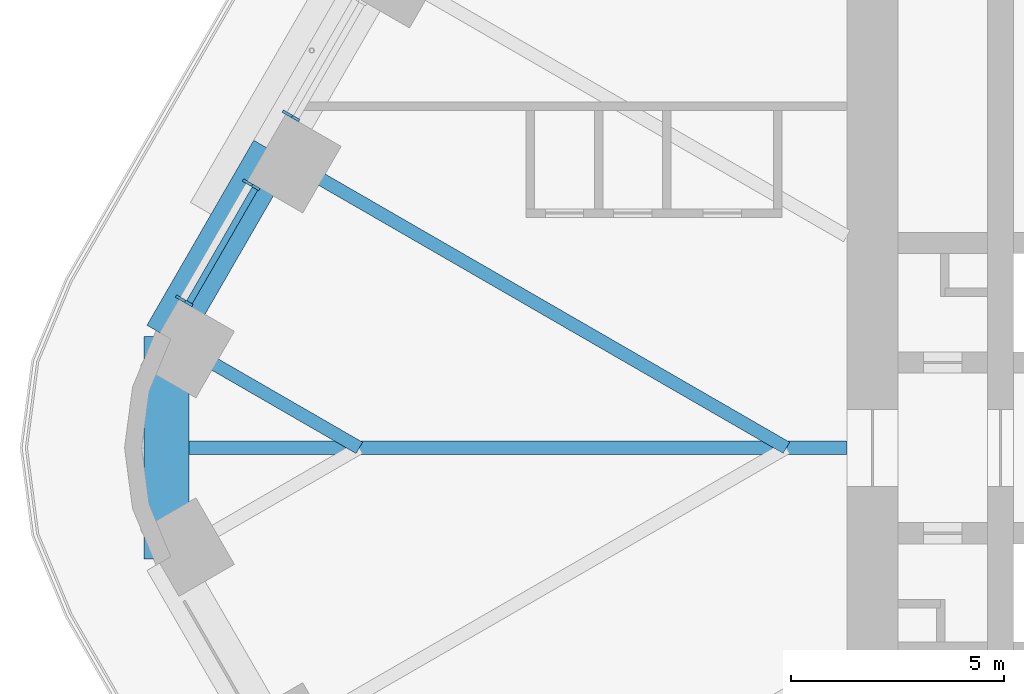
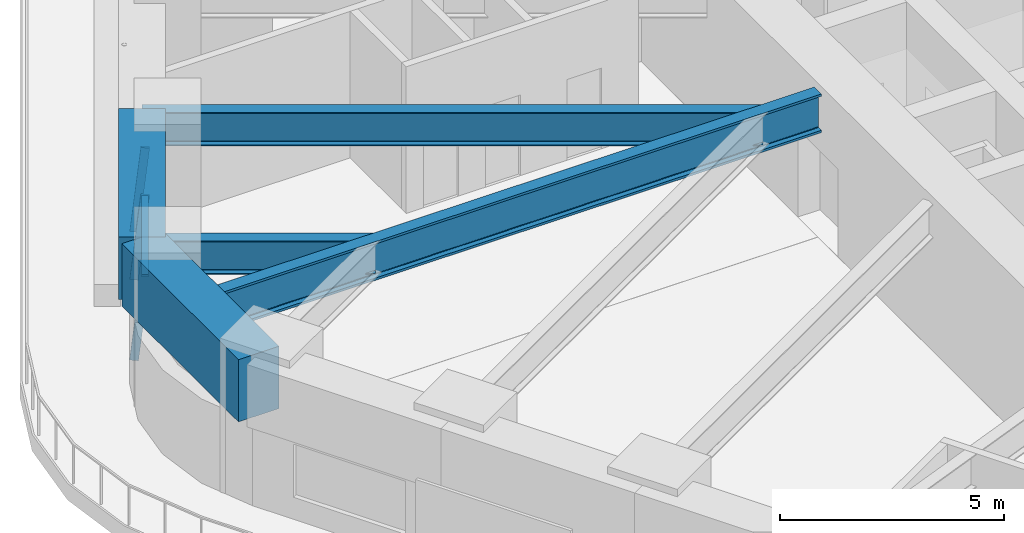
# One storey, part 6 of 24: 5 beams, 4 members, 2 elements without a shape of their own.
"""IFC4 building model written with IfcOpenShell, lengths in metres."""

from ifc_helpers import new_model, si_unit, direction, frame, origin, origin_2d, place, context, subcontext, project, spatial, rectangle, i_section, extrude, material, material_profile, profile_set, type_object, element, aggregate, save


model = new_model("IFC4")

# Units and contexts
model_context = context("Model", 3, precision=1e-05, world=origin(), true_north=direction((0.0, 1.0)))
body_context = subcontext(model_context, "Body", "Model", "MODEL_VIEW")
ifc_project = project(units=[si_unit("LENGTHUNIT", "METRE"), si_unit("AREAUNIT", "SQUARE_METRE"), si_unit("VOLUMEUNIT", "CUBIC_METRE"), si_unit("PLANEANGLEUNIT", "RADIAN"), si_unit("MASSUNIT", "GRAM", prefix="KILO")], contexts=[model_context])

# Site, building, storey
site_placement = place(None, origin())
site = spatial("IfcSite", under=ifc_project, at=site_placement, CompositionType="ELEMENT")
building_placement = place(site_placement, origin())
building = spatial("IfcBuilding", under=site, at=building_placement, Name="Tarfa Lantern Tower", CompositionType="ELEMENT")
storey_placement = place(building_placement, frame((0.0, 0.0, 123.699951171875)))
storey = spatial("IfcBuildingStorey", under=building, at=storey_placement, Name="L27", CompositionType="ELEMENT", Elevation=123.699951171875)

# Curtain wall, member
ifc_material_1 = material(Name="Aluminium framed curtain wall", Category="aluminium")
curtain_wall_type = type_object("IfcCurtainWallType", Name="CW2 CANTED GLAZING MID ZONE 2300", PredefinedType="USERDEFINED", material=ifc_material_1)
curtain_wall_1_placement = place(storey_placement, origin())
curtain_wall_1 = element("IfcCurtainWall", 1, at=curtain_wall_1_placement, inside=storey, type_object=curtain_wall_type, Name="CW2 NWB L27", ObjectType="CURTAIN WALL", PredefinedType="USERDEFINED")
ifc_material_2 = material(Name="Aluminium mullion", Category="aluminium")
ifc_material_profile_1 = material_profile(ifc_material_2, rectangle(XDim=0.06494140625, YDim=0.199951171875, at=origin_2d()), Name="AL MULLION 65x200")
ifc_profile_set_1 = profile_set([ifc_material_profile_1], Name="Aluminium mullion")
member_type_1 = type_object("IfcMemberType", Name="CWM1 MULLION 65x200", PredefinedType="MULLION", material=ifc_profile_set_1)
member_1_placement = place(storey_placement, frame((-31.730712890625, 7.8408203125, 0.0), z_axis=(0.093599904765, -0.0540283554, 0.994142844183), x_axis=(0.499919672301, 0.866071776036, 0.0)))
member_1 = element("IfcMember", 2, at=member_1_placement, type_object=member_type_1, Name="CW2 mullion 2", PredefinedType="MULLION", context=body_context, shape_type="SweptSolid", body=[
    extrude(rectangle(XDim=0.06494140625, YDim=0.199951171875, at=origin_2d()), origin(), (0.0, 0.0, 1.0), 2.313720703125),
])
aggregate(curtain_wall_1, [member_1])

# Curtain wall, members
curtain_wall_2_placement = place(storey_placement, origin())
curtain_wall_2 = element("IfcCurtainWall", 3, at=curtain_wall_2_placement, inside=storey, type_object=curtain_wall_type, Name="CW2 NWB L27", ObjectType="CURTAIN WALL", PredefinedType="USERDEFINED")
member_2_placement = place(storey_placement, frame((-32.6630859375, 6.225830078125, 0.0), z_axis=(0.093599904765, -0.0540283554, 0.994142844183), x_axis=(0.499919672301, 0.866071776036, 0.0)))
member_2 = element("IfcMember", 4, at=member_2_placement, type_object=member_type_1, Name="CW2 mullion 1", PredefinedType="MULLION", context=body_context, shape_type="SweptSolid", body=[
    extrude(rectangle(XDim=0.06494140625, YDim=0.199951171875, at=origin_2d()), origin(), (0.0, 0.0, 1.0), 2.313720703125),
])
member_3_placement = place(storey_placement, frame((-34.232421875, 3.507568359375, 0.0), z_axis=(0.093495303575, -0.054028888748, 0.994152657991), x_axis=(0.500342721131, 0.865827443207, 0.0)))
member_3 = element("IfcMember", 5, at=member_3_placement, type_object=member_type_1, Name="CW2 mullion 2", PredefinedType="MULLION", context=body_context, shape_type="SweptSolid", body=[
    extrude(rectangle(XDim=0.06494140625, YDim=0.199951171875, at=origin_2d()), origin(), (0.0, 0.0, 1.0), 2.3134765625),
])
ifc_material_3 = material(Name="Aluminium transom", Category="aluminium")
ifc_material_profile_2 = material_profile(ifc_material_3, rectangle(XDim=0.14990234375, YDim=0.06494140625, at=origin_2d()), Name="AL TRANSOM 150x65")
ifc_profile_set_2 = profile_set([ifc_material_profile_2], Name="Aluminium transom")
member_type_2 = type_object("IfcMemberType", Name="CWT1 TRANSOM 150x65", PredefinedType="USERDEFINED", material=ifc_profile_set_2)
member_4_placement = place(storey_placement, frame((-32.466064453125, 6.074462890625, 2.267578125), z_axis=(-0.499949361699, -0.866054637847, 0.0), x_axis=(0.866054637847, -0.499949361699, 0.0)))
member_4 = element("IfcMember", 6, at=member_4_placement, type_object=member_type_2, Name="CW2 transom 1.2", ObjectType="TRANSOM", PredefinedType="USERDEFINED", context=body_context, shape_type="SweptSolid", body=[
    extrude(rectangle(XDim=0.14990234375, YDim=0.06494140625, at=origin_2d()), origin(), (0.0, 0.0, 1.0), 3.073486328125),
])
aggregate(curtain_wall_2, [member_2, member_3, member_4])

# Beams
ifc_material_4 = material(Name="Concrete C80/95", Category="concrete")
ifc_material_profile_3 = material_profile(ifc_material_4, rectangle(XDim=1.050048828125, YDim=1.699951171875, at=origin_2d()), Name="RC 1050x1700")
ifc_profile_set_3 = profile_set([ifc_material_profile_3], Name="Concrete C80/95")
beam_type_1 = type_object("IfcBeamType", Name="RB2 RC 1050x1700", PredefinedType="BEAM", material=ifc_profile_set_3)
beam_1_placement = place(storey_placement, frame((-32.041015625, 6.943359375, 3.150146484375), z_axis=(-0.500022324899, -0.866012514114, 0.0), x_axis=(0.866012514114, -0.500022324899, 0.0)))
element("IfcBeam", 7, at=beam_1_placement, inside=storey, type_object=beam_type_1, Name="Edge beam NW5", PredefinedType="BEAM", context=body_context, shape_type="SweptSolid", body=[
    extrude(rectangle(XDim=1.050048828125, YDim=1.699951171875, at=origin_2d()), origin(), (0.0, 0.0, 1.0), 5.003662109375),
])
beam_2_placement = place(storey_placement, frame((-34.54296875, 2.610107421875, 3.150146484375), z_axis=(0.0, -1.0, 0.0), x_axis=(1.0, 0.0, 0.0)))
element("IfcBeam", 8, at=beam_2_placement, inside=storey, type_object=beam_type_1, Name="Edge beam NW6", PredefinedType="BEAM", context=body_context, shape_type="SweptSolid", body=[
    extrude(rectangle(XDim=1.050048828125, YDim=1.699951171875, at=origin_2d()), origin(), (0.0, 0.0, 1.0), 5.22021484375),
])
ifc_material_5 = material(Name="Steel S460M", Category="steel")
ifc_material_profile_4 = material_profile(ifc_material_5, i_section(OverallWidth=0.314208984375, OverallDepth=1.055908203125, WebThickness=0.035888671875, FlangeThickness=0.06396484375, FilletRadius=0.030029296875, at=origin_2d()), Name="UB1016x305x584")
ifc_profile_set_4 = profile_set([ifc_material_profile_4], Name="Steel S460M")
beam_type_2 = type_object("IfcBeamType", Name="UB1016x305x584", PredefinedType="BEAM", material=ifc_profile_set_4)
beam_3_placement = place(storey_placement, frame((-18.60009765625, 0.0, 3.47216796875), z_axis=(-1.0, 0.0, 0.0), x_axis=(0.0, -1.0, 0.0)))
element("IfcBeam", 9, at=beam_3_placement, inside=storey, type_object=beam_type_2, Name="Hip girder W", PredefinedType="BEAM", context=body_context, shape_type="SweptSolid", body=[
    extrude(i_section(OverallWidth=0.314208984375, OverallDepth=1.055908203125, WebThickness=0.035888671875, FlangeThickness=0.06396484375, FilletRadius=0.030029296875, at=origin_2d()), origin(), (0.0, 0.0, 1.0), 15.94287109375),
])
ifc_material_profile_5 = material_profile(ifc_material_5, i_section(OverallWidth=0.305419921875, OverallDepth=0.91845703125, WebThickness=0.017333984375, FlangeThickness=0.02783203125, FilletRadius=0.01904296875, at=origin_2d()), Name="UB914x305x253")
ifc_profile_set_5 = profile_set([ifc_material_profile_5], Name="Steel S460M")
beam_type_3 = type_object("IfcBeamType", Name="UB914x305x253", PredefinedType="BEAM", material=ifc_profile_set_5)
beam_4_placement = place(storey_placement, frame((-32.041015625, 6.943359375, 3.540771484375), z_axis=(0.866023096411, -0.500003996466, 0.0), x_axis=(0.500003996466, 0.866023096411, 0.0)))
element("IfcBeam", 10, at=beam_4_placement, inside=storey, type_object=beam_type_3, Name="Floor beam NW5", PredefinedType="BEAM", context=body_context, shape_type="SweptSolid", body=[
    extrude(i_section(OverallWidth=0.305419921875, OverallDepth=0.91845703125, WebThickness=0.017333984375, FlangeThickness=0.02783203125, FilletRadius=0.01904296875, at=origin_2d()), origin(), (0.0, 0.0, 1.0), 13.88671875),
])
beam_5_placement = place(storey_placement, frame((-34.54296875, 2.610107421875, 3.540771484375), z_axis=(0.866021250859, -0.500007193008, 0.0), x_axis=(0.500007193008, 0.866021250859, 0.0)))
element("IfcBeam", 11, at=beam_5_placement, inside=storey, type_object=beam_type_3, Name="Floor beam NW6", PredefinedType="BEAM", context=body_context, shape_type="SweptSolid", body=[
    extrude(i_section(OverallWidth=0.305419921875, OverallDepth=0.91845703125, WebThickness=0.017333984375, FlangeThickness=0.02783203125, FilletRadius=0.01904296875, at=origin_2d()), origin(), (0.0, 0.0, 1.0), 5.22021484375),
])

save(model, "model.ifc")
